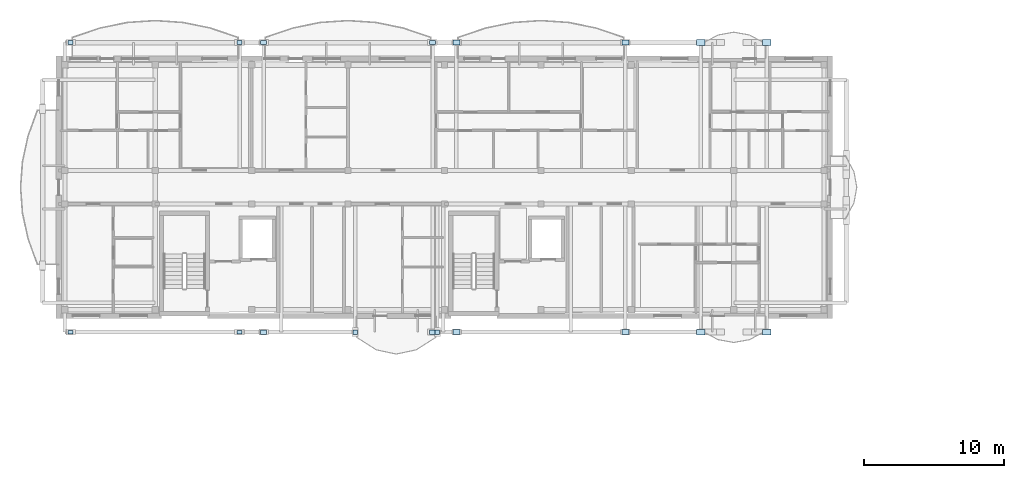
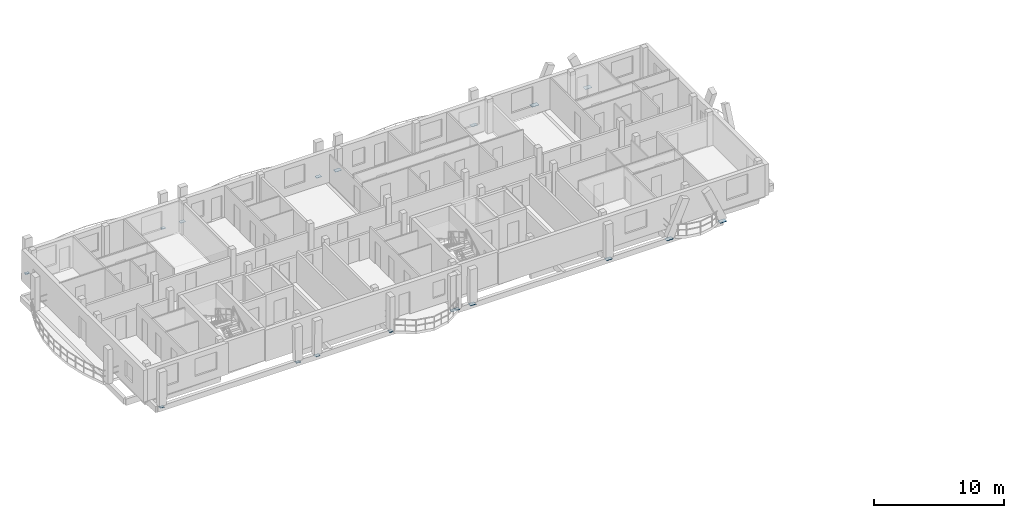
# One storey, part 11 of 44: 18 plates.
"""IFC4 building model written with IfcOpenShell, lengths in metres."""

from ifc_helpers import new_model, si_unit, direction, frame, origin, origin_2d, place, context, subcontext, project, spatial, rectangle, extrude, material, layer, layer_set, type_object, element, save


model = new_model("IFC4")

# Units and contexts
model_context = context("Model", 3, precision=1e-05, world=origin(), true_north=direction((0.0, 1.0)))
body_context = subcontext(model_context, "Body", "Model", "MODEL_VIEW")
ifc_project = project(units=[si_unit("LENGTHUNIT", "METRE"), si_unit("AREAUNIT", "SQUARE_METRE"), si_unit("VOLUMEUNIT", "CUBIC_METRE"), si_unit("PLANEANGLEUNIT", "RADIAN"), si_unit("MASSUNIT", "GRAM", prefix="KILO")], contexts=[model_context])

# Site, building, storey
site_placement = place(None, origin())
site = spatial("IfcSite", under=ifc_project, at=site_placement, CompositionType="ELEMENT")
building_placement = place(site_placement, origin())
building = spatial("IfcBuilding", under=site, at=building_placement, Name="Zavelmont Quarter", CompositionType="ELEMENT")
storey_placement = place(building_placement, frame((0.0, 0.0, 20.800048828125)))
storey = spatial("IfcBuildingStorey", under=building, at=storey_placement, Name="L06", CompositionType="ELEMENT", Elevation=20.800048828125)

# Plates
ifc_material = material(Name="Steel S355", Category="steel")
ifc_layer_1 = layer(ifc_material, 0.02392578125)
ifc_layer_set_1 = layer_set([ifc_layer_1], Name="Steel S355")
plate_type_1 = type_object("IfcPlateType", Name="NP02", PredefinedType="SHEET", material=ifc_layer_set_1)
for number, where, z_axis, x_axis, name in (
    (1, (0.8544921875, 117.162109375, -0.2119140625), (0.0, 0.0, 1.0), (1.0, 0.0, 0.0), "L06 steel connection plate NP02 at 1/S"),
    (2, (12.945556640625, 117.162109375, -0.2119140625), (0.0, 0.0, 1.0), (1.0, 0.0, 0.0), "L06 steel connection plate NP02 at 3/S"),
    (3, (0.8544921875, 96.43798828125, -0.2119140625), (0.0, 0.0, 1.0), (1.0, 0.0, 0.0), "L06 steel connection plate NP02 at 1/P"),
    (4, (12.945556640625, 96.43798828125, -0.2119140625), (0.0, 0.0, 1.0), (1.0, 0.0, 0.0), "L06 steel connection plate NP02 at 3/P"),
):
    element("IfcPlate", number, at=place(storey_placement, frame(where, z_axis=z_axis, x_axis=x_axis)), inside=storey, type_object=plate_type_1, Name=name, PredefinedType="SHEET", context=body_context, shape_type="SweptSolid", body=[
        extrude(rectangle(XDim=0.360107421875, YDim=0.260009765625, at=origin_2d()), origin(), (0.0, 0.0, 1.0), 0.02392578125),
    ])
ifc_layer_2 = layer(ifc_material, 0.02490234375)
ifc_layer_set_2 = layer_set([ifc_layer_2], Name="Steel S355")
plate_type_2 = type_object("IfcPlateType", Name="NP03", PredefinedType="SHEET", material=ifc_layer_set_2)
for number, where, z_axis, x_axis, name in (
    (5, (14.654296875, 117.162109375, -0.21240234375), (0.0, 0.0, 1.0), (1.0, 0.0, 0.0), "L06 steel connection plate NP03 at 3/S"),
    (6, (26.74560546875, 117.162109375, -0.21240234375), (0.0, 0.0, 1.0), (1.0, 0.0, 0.0), "L06 steel connection plate NP03 at 5/S"),
    (7, (14.654296875, 96.43798828125, -0.21240234375), (0.0, 0.0, 1.0), (1.0, 0.0, 0.0), "L06 steel connection plate NP03 at 3/P"),
    (8, (26.74560546875, 96.43798828125, -0.21240234375), (0.0, 0.0, 1.0), (1.0, 0.0, 0.0), "L06 steel connection plate NP03 at 5/P"),
):
    element("IfcPlate", number, at=place(storey_placement, frame(where, z_axis=z_axis, x_axis=x_axis)), inside=storey, type_object=plate_type_2, Name=name, PredefinedType="SHEET", context=body_context, shape_type="SweptSolid", body=[
        extrude(rectangle(XDim=0.43994140625, YDim=0.320068359375, at=origin_2d()), origin(), (0.0, 0.0, 1.0), 0.02490234375),
    ])
ifc_layer_3 = layer(ifc_material, 0.028076171875)
ifc_layer_set_3 = layer_set([ifc_layer_3], Name="Steel S355")
plate_type_3 = type_object("IfcPlateType", Name="NP04", PredefinedType="SHEET", material=ifc_layer_set_3)
for number, where, z_axis, x_axis, name in (
    (9, (28.454345703125, 117.162109375, -0.2138671875), (0.0, 0.0, 1.0), (1.0, 0.0, 0.0), "L06 steel connection plate NP04 at 5/S"),
    (10, (40.545654296875, 117.162109375, -0.2138671875), (0.0, 0.0, 1.0), (1.0, 0.0, 0.0), "L06 steel connection plate NP04 at 7/S"),
    (11, (28.454345703125, 96.43798828125, -0.2138671875), (0.0, 0.0, 1.0), (1.0, 0.0, 0.0), "L06 steel connection plate NP04 at 5/P"),
    (12, (40.545654296875, 96.43798828125, -0.2138671875), (0.0, 0.0, 1.0), (1.0, 0.0, 0.0), "L06 steel connection plate NP04 at 7/P"),
):
    element("IfcPlate", number, at=place(storey_placement, frame(where, z_axis=z_axis, x_axis=x_axis)), inside=storey, type_object=plate_type_3, Name=name, PredefinedType="SHEET", context=body_context, shape_type="SweptSolid", body=[
        extrude(rectangle(XDim=0.52001953125, YDim=0.360107421875, at=origin_2d()), origin(), (0.0, 0.0, 1.0), 0.028076171875),
    ])
ifc_layer_4 = layer(ifc_material, 0.030029296875)
ifc_layer_set_4 = layer_set([ifc_layer_4], Name="Steel S355")
plate_type_4 = type_object("IfcPlateType", Name="NP05", PredefinedType="SHEET", material=ifc_layer_set_4)
for number, where, z_axis, x_axis, name in (
    (13, (45.9345703125, 117.162109375, -0.21484375), (0.0, 0.0, 1.0), (1.0, 0.0, 0.0), "L06 steel connection plate NP05 at 8/S"),
    (14, (50.66552734375, 117.162109375, -0.21484375), (0.0, 0.0, 1.0), (1.0, 0.0, 0.0), "L06 steel connection plate NP05 at 8/S"),
    (15, (45.9345703125, 96.43798828125, -0.21484375), (0.0, 0.0, 1.0), (1.0, 0.0, 0.0), "L06 steel connection plate NP05 at 8/P"),
    (16, (50.66552734375, 96.43798828125, -0.21484375), (0.0, 0.0, 1.0), (1.0, 0.0, 0.0), "L06 steel connection plate NP05 at 8/P"),
):
    element("IfcPlate", number, at=place(storey_placement, frame(where, z_axis=z_axis, x_axis=x_axis)), inside=storey, type_object=plate_type_4, Name=name, PredefinedType="SHEET", context=body_context, shape_type="SweptSolid", body=[
        extrude(rectangle(XDim=0.60009765625, YDim=0.39990234375, at=origin_2d()), origin(), (0.0, 0.0, 1.0), 0.030029296875),
    ])
ifc_layer_5 = layer(ifc_material, 0.02197265625)
ifc_layer_set_5 = layer_set([ifc_layer_5], Name="Steel S355")
plate_type_5 = type_object("IfcPlateType", Name="NP06", PredefinedType="SHEET", material=ifc_layer_set_5)
for number, where, z_axis, x_axis, name in (
    (17, (21.199951171875, 96.43798828125, -0.2109375), (0.0, 0.0, 1.0), (1.0, 0.0, 0.0), "L06 steel connection plate NP06 at 4/P"),
    (18, (27.10009765625, 96.43798828125, -0.2109375), (0.0, 0.0, 1.0), (1.0, 0.0, 0.0), "L06 steel connection plate NP06 at 5/P"),
):
    element("IfcPlate", number, at=place(storey_placement, frame(where, z_axis=z_axis, x_axis=x_axis)), inside=storey, type_object=plate_type_5, Name=name, PredefinedType="SHEET", context=body_context, shape_type="SweptSolid", body=[
        extrude(rectangle(XDim=0.320068359375, YDim=0.320068359375, at=origin_2d()), origin(), (0.0, 0.0, 1.0), 0.02197265625),
    ])

save(model, "model.ifc")
